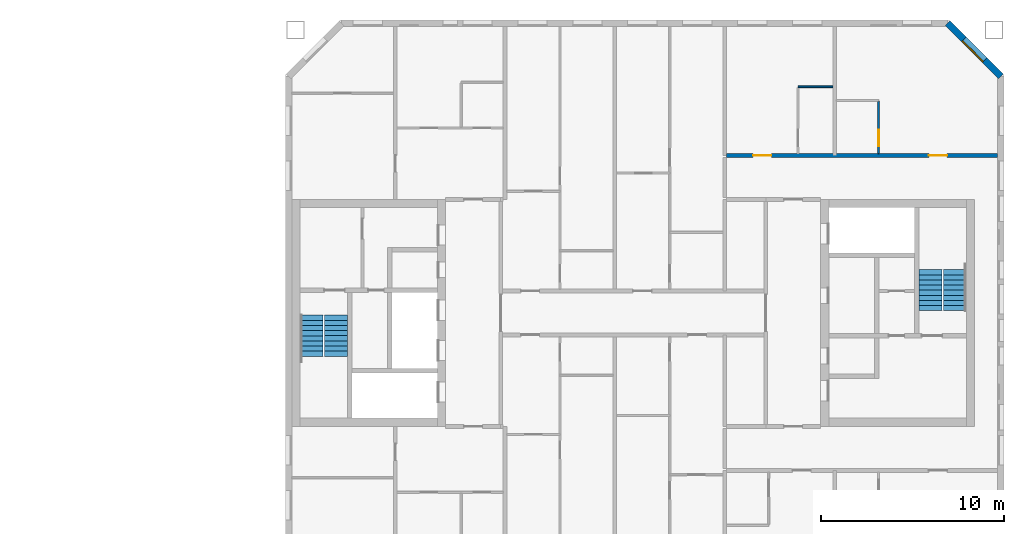
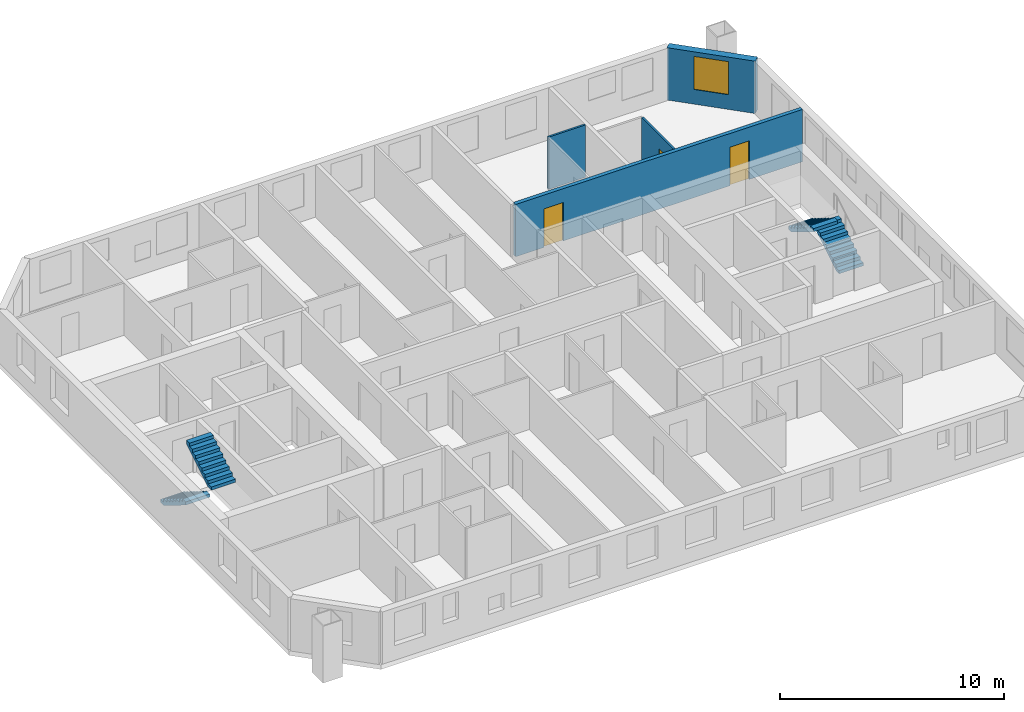
# One storey, part 14 of 16: 4 stair flights, 4 walls, 3 doors, 1 window, 4 openings, 2 elements without a shape of their own.
"""IFC4 building model written with IfcOpenShell, lengths in metres."""

from ifc_helpers import new_model, si_unit, direction, frame, frame_2d, origin, place, context, subcontext, project, spatial, polyline, rectangle, outline, extrude, material, layer, layer_set, type_object, element, fill, aggregate, save


model = new_model("IFC4")

# Units and contexts
model_context = context("Model", 3, precision=1e-05, world=origin(), true_north=direction((0.0, 1.0)))
body_context = subcontext(model_context, "Body", "Model", "MODEL_VIEW")
ifc_project = project(units=[si_unit("LENGTHUNIT", "METRE"), si_unit("AREAUNIT", "SQUARE_METRE"), si_unit("VOLUMEUNIT", "CUBIC_METRE"), si_unit("PLANEANGLEUNIT", "RADIAN"), si_unit("MASSUNIT", "GRAM", prefix="KILO")], contexts=[model_context])

# Site, building, storey
site_placement = place(None, origin())
site = spatial("IfcSite", under=ifc_project, at=site_placement, CompositionType="ELEMENT")
building_placement = place(site_placement, origin())
building = spatial("IfcBuilding", under=site, at=building_placement, Name="Tuart Gate Housing", CompositionType="ELEMENT")
storey_placement = place(building_placement, frame((0.0, 0.0, 178.89990234375)))
storey = spatial("IfcBuildingStorey", under=building, at=storey_placement, Name="L50", CompositionType="ELEMENT", Elevation=178.89990234375)

# Wall, opening, window
ifc_material_1 = material(Name="Brick", Category="masonry")
ifc_layer_1 = layer(ifc_material_1, 0.360107421875)
ifc_layer_set_1 = layer_set([ifc_layer_1], Name="Brick pier and spandrel wall 360")
wall_type_1 = type_object("IfcWallType", Name="Brick pier and spandrel wall 360", PredefinedType="STANDARD", material=ifc_layer_set_1)
wall_1_placement = place(storey_placement, frame((170.070068359375, 82.92529296875, 0.0), z_axis=(0.0, 0.0, 1.0), x_axis=(-0.707106781187, 0.707106781187, 0.0)))
wall_1 = element("IfcWall", 1, at=wall_1_placement, inside=storey, type_object=wall_type_1, Name="External wall B-NE L50", PredefinedType="STANDARD", context=body_context, shape_type="SweptSolid", body=[
    extrude(rectangle(XDim=4.09375, YDim=0.360107421875, at=frame_2d((2.046875, 0.0))), origin(), (0.0, 0.0, 1.0), 2.85009765625),
])
opening_1_placement = place(wall_1_placement, frame((1.2470703125, 0.0, 0.800048828125)))
opening_1 = element("IfcOpeningElement", 2, at=opening_1_placement, cuts=wall_1, Name="Opening W1", PredefinedType="OPENING", context=body_context, shape_type="SweptSolid", body=[
    extrude(rectangle(XDim=1.60009765625, YDim=1.800048828125, at=frame_2d((0.800048828125, 0.89990234375))), frame((0.0, 0.18994140625, 0.0), z_axis=(0.0, -1.0, 0.0), x_axis=(1.0, 0.0, 0.0)), (0.0, 0.0, 1.0), 0.380126953125),
])
ifc_material_2 = material(Name="Aluminium frame with clear glass", Category="aluminium")
window_type = type_object("IfcWindowType", Name="Punched window 1600 x 1800", PartitioningType="SINGLE_PANEL", PredefinedType="WINDOW", material=ifc_material_2)
window_placement = place(opening_1_placement, origin())
window = element("IfcWindow", 3, at=window_placement, inside=storey, type_object=window_type, Name="Window W1", OverallHeight=1.800048828125, OverallWidth=1.60009765625, PartitioningType="SINGLE_PANEL", PredefinedType="WINDOW", context=body_context, shape_type="SweptSolid", body=[
    extrude(rectangle(XDim=1.60009765625, YDim=1.800048828125, at=frame_2d((0.800048828125, 0.89990234375))), frame((0.0, 0.150146484375, 0.0), z_axis=(0.0, -1.0, 0.0), x_axis=(1.0, 0.0, 0.0)), (0.0, 0.0, 1.0), 0.06005859375),
])
fill(opening_1, window)

# Wall, openings, doors
ifc_material_3 = material(Name="Concrete masonry 15 MPa", Category="masonry")
ifc_layer_2 = layer(ifc_material_3, 0.199951171875)
ifc_layer_set_2 = layer_set([ifc_layer_2], Name="Corridor wall masonry 200")
wall_type_2 = type_object("IfcWallType", Name="Corridor wall masonry 200", PredefinedType="PARTITIONING", material=ifc_layer_set_2)
wall_2_placement = place(storey_placement, frame((155.10009765625, 78.60009765625, 0.0), z_axis=(0.0, 0.0, 1.0), x_axis=(1.0, 0.0, 0.0)))
wall_2 = element("IfcWall", 4, at=wall_2_placement, inside=storey, type_object=wall_type_2, Name="Corridor wall masonry 200", PredefinedType="PARTITIONING", context=body_context, shape_type="SweptSolid", body=[
    extrude(rectangle(XDim=14.789794921875, YDim=0.199951171875, at=frame_2d((7.39501953125, 0.0))), origin(), (0.0, 0.0, 1.0), 2.85009765625),
])
opening_2_placement = place(wall_2_placement, frame((1.449951171875, 0.0, 0.0)))
opening_2 = element("IfcOpeningElement", 5, at=opening_2_placement, cuts=wall_2, Name="Opening D1797", PredefinedType="OPENING", context=body_context, shape_type="SweptSolid", body=[
    extrude(rectangle(XDim=1.0, YDim=2.10009765625, at=frame_2d((0.5, 1.050048828125))), frame((0.0, 0.10986328125, 0.0), z_axis=(0.0, -1.0, 0.0), x_axis=(1.0, 0.0, 0.0)), (0.0, 0.0, 1.0), 0.219970703125),
])
opening_3_placement = place(wall_2_placement, frame((11.044921875, 0.0, 0.0)))
opening_3 = element("IfcOpeningElement", 6, at=opening_3_placement, cuts=wall_2, Name="Opening D1798", PredefinedType="OPENING", context=body_context, shape_type="SweptSolid", body=[
    extrude(rectangle(XDim=1.0, YDim=2.10009765625, at=frame_2d((0.5, 1.050048828125))), frame((0.0, 0.10986328125, 0.0), z_axis=(0.0, -1.0, 0.0), x_axis=(1.0, 0.0, 0.0)), (0.0, 0.0, 1.0), 0.219970703125),
])
ifc_material_4 = material(Name="Timber door leaf in steel frame", Category="steel")
door_type_1 = type_object("IfcDoorType", Name="Flat entrance door 1000", OperationType="SINGLE_SWING_LEFT", PredefinedType="DOOR", material=ifc_material_4)
door_1_placement = place(opening_3_placement, origin())
door_1 = element("IfcDoor", 7, at=door_1_placement, inside=storey, type_object=door_type_1, Name="Flat entrance door", OperationType="SINGLE_SWING_LEFT", OverallHeight=2.10009765625, OverallWidth=1.0, PredefinedType="DOOR", context=body_context, shape_type="SweptSolid", body=[
    extrude(rectangle(XDim=1.0, YDim=2.10009765625, at=frame_2d((0.5, 1.050048828125))), frame((0.0, 0.02490234375, 0.0), z_axis=(0.0, -1.0, 0.0), x_axis=(1.0, 0.0, 0.0)), (0.0, 0.0, 1.0), 0.050048828125),
])
fill(opening_3, door_1)
ifc_material_5 = material(Name="Timber door leaf in steel frame", Category="steel")
door_type_2 = type_object("IfcDoorType", Name="Flat entrance door 1000 RH", OperationType="SINGLE_SWING_RIGHT", PredefinedType="DOOR", material=ifc_material_5)
door_2_placement = place(opening_2_placement, origin())
door_2 = element("IfcDoor", 8, at=door_2_placement, inside=storey, type_object=door_type_2, Name="Flat entrance door", OperationType="SINGLE_SWING_RIGHT", OverallHeight=2.10009765625, OverallWidth=1.0, PredefinedType="DOOR", context=body_context, shape_type="SweptSolid", body=[
    extrude(rectangle(XDim=1.0, YDim=2.10009765625, at=frame_2d((0.5, 1.050048828125))), frame((0.0, 0.02490234375, 0.0), z_axis=(0.0, -1.0, 0.0), x_axis=(1.0, 0.0, 0.0)), (0.0, 0.0, 1.0), 0.050048828125),
])
fill(opening_2, door_2)

# Wall
ifc_material_6 = material(Name="Gypsum board on steel studs", Category="steel")
ifc_layer_3 = layer(ifc_material_6, 0.10009765625)
ifc_layer_set_3 = layer_set([ifc_layer_3], Name="Partition 100")
wall_type_3 = type_object("IfcWallType", Name="Partition 100", PredefinedType="PARTITIONING", material=ifc_layer_set_3)
wall_3_placement = place(storey_placement, frame((159.0, 82.35009765625, 0.0), z_axis=(0.0, 0.0, 1.0), x_axis=(1.0, 0.0, 0.0)))
element("IfcWall", 9, at=wall_3_placement, inside=storey, type_object=wall_type_3, Name="Partition 100", PredefinedType="PARTITIONING", context=body_context, shape_type="SweptSolid", body=[
    extrude(rectangle(XDim=1.89990234375, YDim=0.10009765625, at=frame_2d((0.949951171875, 0.0))), origin(), (0.0, 0.0, 1.0), 2.85009765625),
])

# Wall, opening, door
wall_4_placement = place(storey_placement, frame((163.39990234375, 78.699951171875, 0.0), z_axis=(0.0, 0.0, 1.0), x_axis=(0.0, 1.0, 0.0)))
wall_4 = element("IfcWall", 10, at=wall_4_placement, inside=storey, type_object=wall_type_3, Name="Partition 100", PredefinedType="PARTITIONING", context=body_context, shape_type="SweptSolid", body=[
    extrude(rectangle(XDim=2.85009765625, YDim=0.10009765625, at=frame_2d((1.425048828125, 0.0))), origin(), (0.0, 0.0, 1.0), 2.85009765625),
])
opening_4_placement = place(wall_4_placement, frame((0.39990234375, 0.0, 0.0)))
opening_4 = element("IfcOpeningElement", 11, at=opening_4_placement, cuts=wall_4, Name="Opening D1794", PredefinedType="OPENING", context=body_context, shape_type="SweptSolid", body=[
    extrude(rectangle(XDim=0.89990234375, YDim=2.10009765625, at=frame_2d((0.449951171875, 1.050048828125))), frame((0.0, 0.06005859375, 0.0), z_axis=(0.0, -1.0, 0.0), x_axis=(1.0, 0.0, 0.0)), (0.0, 0.0, 1.0), 0.1201171875),
])
ifc_material_7 = material(Name="Timber door leaf in steel frame", Category="steel")
door_type_3 = type_object("IfcDoorType", Name="Bathroom door 900", OperationType="SINGLE_SWING_LEFT", PredefinedType="DOOR", material=ifc_material_7)
door_3_placement = place(opening_4_placement, origin())
door_3 = element("IfcDoor", 12, at=door_3_placement, inside=storey, type_object=door_type_3, Name="Bathroom door", OperationType="SINGLE_SWING_LEFT", OverallHeight=2.10009765625, OverallWidth=0.89990234375, PredefinedType="DOOR", context=body_context, shape_type="SweptSolid", body=[
    extrude(rectangle(XDim=0.89990234375, YDim=2.10009765625, at=frame_2d((0.449951171875, 1.050048828125))), frame((0.0, 0.02490234375, 0.0), z_axis=(0.0, -1.0, 0.0), x_axis=(1.0, 0.0, 0.0)), (0.0, 0.0, 1.0), 0.050048828125),
])
fill(opening_4, door_3)

# Stair, stair flights
ifc_material_8 = material(Name="Concrete C40", Category="concrete")
stair_type = type_object("IfcStairType", Name="Core stair 1250", PredefinedType="HALF_TURN_STAIR", material=ifc_material_8)
stair_1_placement = place(storey_placement, origin())
stair_1 = element("IfcStair", 13, at=stair_1_placement, inside=storey, type_object=stair_type, Name="Stair SB1", PredefinedType="HALF_TURN_STAIR")
ifc_material_9 = material(Name="Concrete C40", Category="concrete")
stair_flight_type = type_object("IfcStairFlightType", Name="Stair flight 1250, 9 risers 172 x 280", PredefinedType="STRAIGHT", material=ifc_material_9)
stair_flight_1_placement = place(storey_placement, frame((132.43505859375, 69.875, 0.0), z_axis=(0.0, 0.0, 1.0), x_axis=(0.0, -1.0, 0.0)))
stair_flight_1 = element("IfcStairFlight", 14, at=stair_flight_1_placement, type_object=stair_flight_type, Name="SB1 flight 1", NumberOfRisers=9, NumberOfTreads=8, PredefinedType="STRAIGHT", RiserHeight=0.172222222, TreadLength=0.28, context=body_context, shape_type="SweptSolid", body=[
    extrude(outline(polyline([(0.0, 0.0), (0.0, 0.172119140625), (0.280029296875, 0.172119140625), (0.280029296875, 0.344482421875), (0.56005859375, 0.344482421875), (0.56005859375, 0.5166015625), (0.840087890625, 0.5166015625), (0.840087890625, 0.68896484375), (1.1201171875, 0.68896484375), (1.1201171875, 0.861083984375), (1.39990234375, 0.861083984375), (1.39990234375, 1.033447265625), (1.679931640625, 1.033447265625), (1.679931640625, 1.20556640625), (1.9599609375, 1.20556640625), (1.9599609375, 1.377685546875), (2.239990234375, 1.377685546875), (2.239990234375, 1.550048828125), (2.239990234375, 1.201904296875), (0.2861328125, 0.0), (0.0, 0.0)])), frame((0.0, 0.625, 0.0), z_axis=(0.0, -1.0, 0.0), x_axis=(1.0, 0.0, 0.0)), (0.0, 0.0, 1.0), 1.25),
])
stair_flight_2_placement = place(storey_placement, frame((133.760009765625, 67.635009765625, 1.550048828125), z_axis=(0.0, 0.0, 1.0), x_axis=(0.0, 1.0, 0.0)))
stair_flight_2 = element("IfcStairFlight", 15, at=stair_flight_2_placement, type_object=stair_flight_type, Name="SB1 flight 2", NumberOfRisers=9, NumberOfTreads=8, PredefinedType="STRAIGHT", RiserHeight=0.172222222, TreadLength=0.28, context=body_context, shape_type="SweptSolid", body=[
    extrude(outline(polyline([(0.0, 0.0), (0.0, 0.172119140625), (0.280029296875, 0.172119140625), (0.280029296875, 0.344482421875), (0.56005859375, 0.344482421875), (0.56005859375, 0.5166015625), (0.840087890625, 0.5166015625), (0.840087890625, 0.68896484375), (1.1201171875, 0.68896484375), (1.1201171875, 0.861083984375), (1.39990234375, 0.861083984375), (1.39990234375, 1.033447265625), (1.679931640625, 1.033447265625), (1.679931640625, 1.20556640625), (1.9599609375, 1.20556640625), (1.9599609375, 1.377685546875), (2.239990234375, 1.377685546875), (2.239990234375, 1.550048828125), (2.239990234375, 1.201904296875), (0.2861328125, 0.0), (0.0, 0.0)])), frame((0.0, 0.625, 0.0), z_axis=(0.0, -1.0, 0.0), x_axis=(1.0, 0.0, 0.0)), (0.0, 0.0, 1.0), 1.25),
])
aggregate(stair_1, [stair_flight_1, stair_flight_2])

stair_2_placement = place(storey_placement, origin())
stair_2 = element("IfcStair", 16, at=stair_2_placement, inside=storey, type_object=stair_type, Name="Stair SB2", PredefinedType="HALF_TURN_STAIR")
stair_flight_3_placement = place(storey_placement, frame((167.56494140625, 70.125, 0.0), z_axis=(0.0, 0.0, 1.0), x_axis=(0.0, 1.0, 0.0)))
stair_flight_3 = element("IfcStairFlight", 17, at=stair_flight_3_placement, type_object=stair_flight_type, Name="SB2 flight 1", NumberOfRisers=9, NumberOfTreads=8, PredefinedType="STRAIGHT", RiserHeight=0.172222222, TreadLength=0.28, context=body_context, shape_type="SweptSolid", body=[
    extrude(outline(polyline([(0.0, 0.0), (0.0, 0.172119140625), (0.280029296875, 0.172119140625), (0.280029296875, 0.344482421875), (0.56005859375, 0.344482421875), (0.56005859375, 0.5166015625), (0.840087890625, 0.5166015625), (0.840087890625, 0.68896484375), (1.1201171875, 0.68896484375), (1.1201171875, 0.861083984375), (1.39990234375, 0.861083984375), (1.39990234375, 1.033447265625), (1.679931640625, 1.033447265625), (1.679931640625, 1.20556640625), (1.9599609375, 1.20556640625), (1.9599609375, 1.377685546875), (2.239990234375, 1.377685546875), (2.239990234375, 1.550048828125), (2.239990234375, 1.201904296875), (0.2861328125, 0.0), (0.0, 0.0)])), frame((0.0, 0.625, 0.0), z_axis=(0.0, -1.0, 0.0), x_axis=(1.0, 0.0, 0.0)), (0.0, 0.0, 1.0), 1.25),
])
stair_flight_4_placement = place(storey_placement, frame((166.239990234375, 72.364990234375, 1.550048828125), z_axis=(0.0, 0.0, 1.0), x_axis=(0.0, -1.0, 0.0)))
stair_flight_4 = element("IfcStairFlight", 18, at=stair_flight_4_placement, type_object=stair_flight_type, Name="SB2 flight 2", NumberOfRisers=9, NumberOfTreads=8, PredefinedType="STRAIGHT", RiserHeight=0.172222222, TreadLength=0.28, context=body_context, shape_type="SweptSolid", body=[
    extrude(outline(polyline([(0.0, 0.0), (0.0, 0.172119140625), (0.280029296875, 0.172119140625), (0.280029296875, 0.344482421875), (0.56005859375, 0.344482421875), (0.56005859375, 0.5166015625), (0.840087890625, 0.5166015625), (0.840087890625, 0.68896484375), (1.1201171875, 0.68896484375), (1.1201171875, 0.861083984375), (1.39990234375, 0.861083984375), (1.39990234375, 1.033447265625), (1.679931640625, 1.033447265625), (1.679931640625, 1.20556640625), (1.9599609375, 1.20556640625), (1.9599609375, 1.377685546875), (2.239990234375, 1.377685546875), (2.239990234375, 1.550048828125), (2.239990234375, 1.201904296875), (0.2861328125, 0.0), (0.0, 0.0)])), frame((0.0, 0.625, 0.0), z_axis=(0.0, -1.0, 0.0), x_axis=(1.0, 0.0, 0.0)), (0.0, 0.0, 1.0), 1.25),
])
aggregate(stair_2, [stair_flight_3, stair_flight_4])

save(model, "model.ifc")
